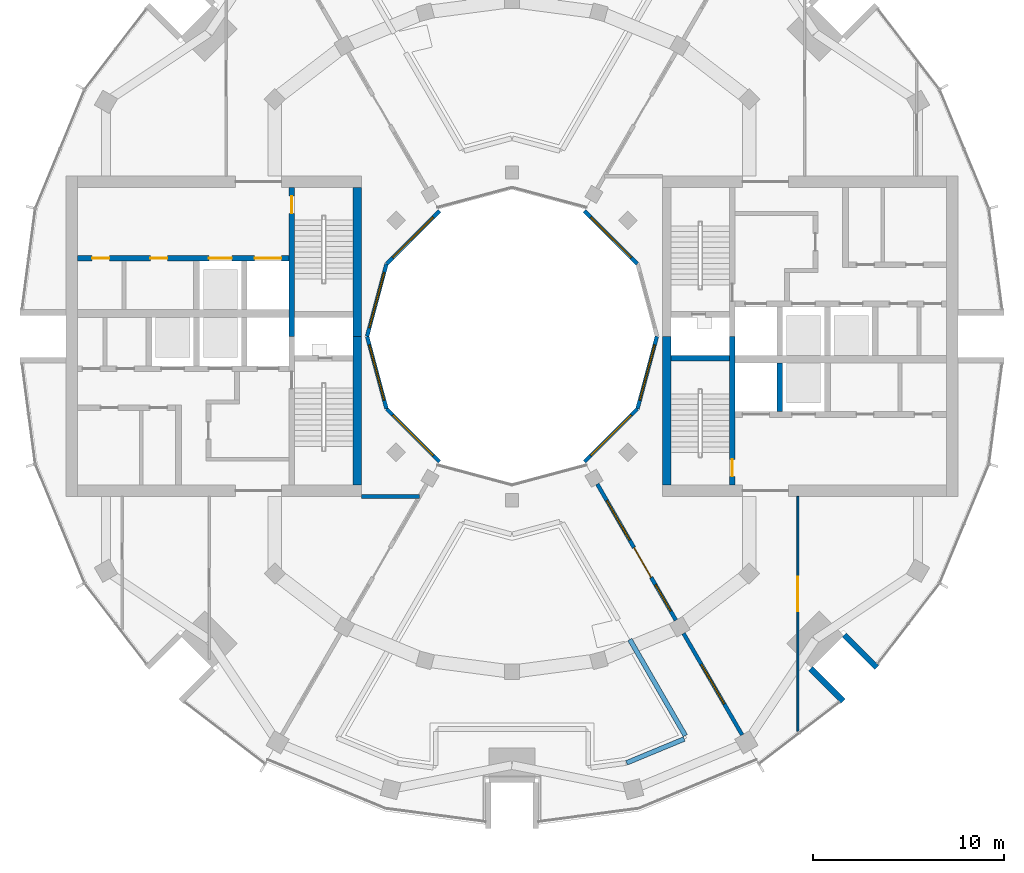
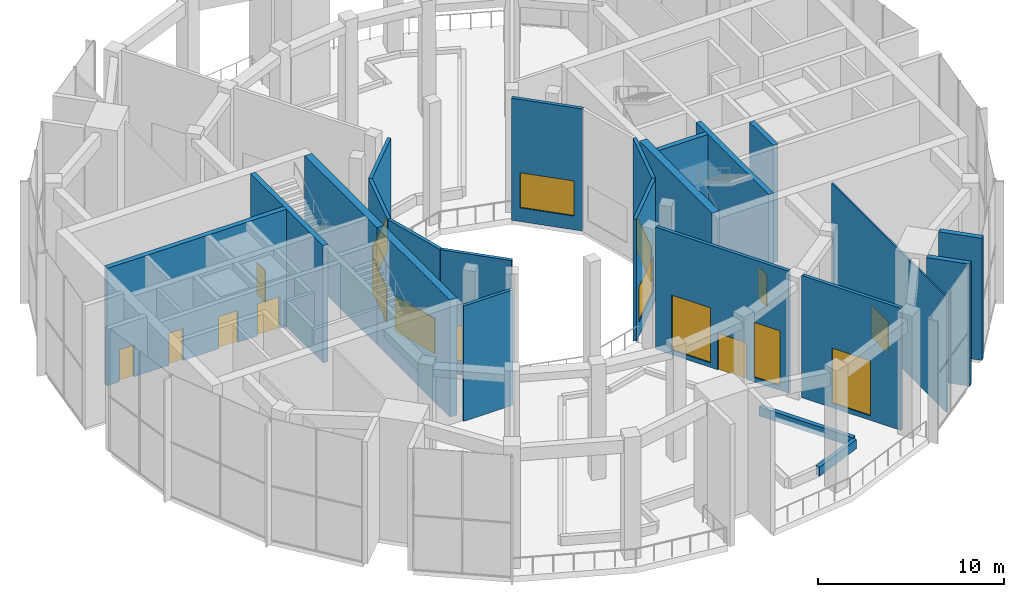
# One storey, part 12 of 18: 23 walls, 10 windows, 8 doors, 18 openings.
"""IFC4 building model written with IfcOpenShell, lengths in metres."""

from ifc_helpers import new_model, si_unit, direction, frame, frame_2d, origin, place, context, subcontext, project, spatial, rectangle, extrude, material, layer, layer_set, type_object, element, fill, save


model = new_model("IFC4")

# Units and contexts
model_context = context("Model", 3, precision=1e-05, world=origin(), true_north=direction((0.0, 1.0)))
body_context = subcontext(model_context, "Body", "Model", "MODEL_VIEW")
ifc_project = project(units=[si_unit("LENGTHUNIT", "METRE"), si_unit("AREAUNIT", "SQUARE_METRE"), si_unit("VOLUMEUNIT", "CUBIC_METRE"), si_unit("PLANEANGLEUNIT", "RADIAN"), si_unit("MASSUNIT", "GRAM", prefix="KILO")], contexts=[model_context])

# Site, building, storey
site_placement = place(None, origin())
site = spatial("IfcSite", under=ifc_project, at=site_placement, CompositionType="ELEMENT")
building_placement = place(site_placement, origin())
building = spatial("IfcBuilding", under=site, at=building_placement, Name="Torre Brocal", CompositionType="ELEMENT")
storey_placement = place(building_placement, frame((0.0, 0.0, 229.300048828125)))
storey = spatial("IfcBuildingStorey", under=building, at=storey_placement, Name="L53", CompositionType="ELEMENT", Elevation=229.300048828125)

# Wall, opening, door
ifc_material_1 = material(Name="Concrete C60", Category="concrete")
ifc_layer_1 = layer(ifc_material_1, 0.300048828125)
ifc_layer_set_1 = layer_set([ifc_layer_1], Name="Concrete C60")
wall_type_1 = type_object("IfcWallType", Name="CORE WALL 300 C60", PredefinedType="SHEAR", material=ifc_layer_set_1)
wall_1_placement = place(storey_placement, frame((91.550048828125, 67.199951171875, 0.0), z_axis=(0.0, 0.0, 1.0), x_axis=(0.0, 1.0, 0.0)))
wall_1 = element("IfcWall", 1, at=wall_1_placement, inside=storey, type_object=wall_type_1, Name="Wall CW300-60", PredefinedType="SHEAR", context=body_context, shape_type="SweptSolid", body=[
    extrude(rectangle(XDim=7.800048828125, YDim=0.300048828125, at=frame_2d((3.89990234375, 0.0))), origin(), (0.0, 0.0, 1.0), 7.679931640625),
])
opening_1_placement = place(wall_1_placement, frame((0.449951171875, 0.0, 0.0)))
opening_1 = element("IfcOpeningElement", 2, at=opening_1_placement, cuts=wall_1, Name="Opening E-D03", PredefinedType="OPENING", context=body_context, shape_type="SweptSolid", body=[
    extrude(rectangle(XDim=0.89990234375, YDim=2.10009765625, at=frame_2d((0.449951171875, 1.050048828125))), frame((0.0, 0.159912109375, 0.0), z_axis=(0.0, -1.0, 0.0), x_axis=(1.0, 0.0, 0.0)), (0.0, 0.0, 1.0), 0.320068359375),
])
ifc_material_2 = material(Name="Steel A653", Category="steel")
door_type_1 = type_object("IfcDoorType", Name="STAIR DOOR FD120 900X2100", OperationType="SINGLE_SWING_RIGHT", PredefinedType="DOOR", material=ifc_material_2)
door_1_placement = place(opening_1_placement, origin())
door_1 = element("IfcDoor", 3, at=door_1_placement, inside=storey, type_object=door_type_1, Name="Door E-D03", OperationType="SINGLE_SWING_LEFT", OverallHeight=2.10009765625, OverallWidth=0.89990234375, PredefinedType="DOOR", context=body_context, shape_type="SweptSolid", body=[
    extrude(rectangle(XDim=0.89990234375, YDim=2.10009765625, at=frame_2d((0.449951171875, 1.050048828125))), frame((0.0, 0.02490234375, 0.0), z_axis=(0.0, -1.0, 0.0), x_axis=(1.0, 0.0, 0.0)), (0.0, 0.0, 1.0), 0.050048828125),
])
fill(opening_1, door_1)

# Walls
wall_2_placement = place(storey_placement, frame((88.35009765625, 73.85009765625, 0.0), z_axis=(0.0, 0.0, 1.0), x_axis=(1.0, 0.0, 0.0)))
element("IfcWall", 4, at=wall_2_placement, inside=storey, type_object=wall_type_1, Name="Wall CW300-60", PredefinedType="SHEAR", context=body_context, shape_type="SweptSolid", body=[
    extrude(rectangle(XDim=3.0498046875, YDim=0.300048828125, at=frame_2d((1.52490234375, 0.0))), origin(), (0.0, 0.0, 1.0), 7.679931640625),
])
wall_3_placement = place(storey_placement, frame((94.050048828125, 71.050048828125, 0.0), z_axis=(0.0, 0.0, 1.0), x_axis=(0.0, 1.0, 0.0)))
element("IfcWall", 5, at=wall_3_placement, inside=storey, type_object=wall_type_1, Name="Wall CW300-60", PredefinedType="SHEAR", context=body_context, shape_type="SweptSolid", body=[
    extrude(rectangle(XDim=2.550048828125, YDim=0.300048828125, at=frame_2d((1.27490234375, 0.0))), origin(), (0.0, 0.0, 1.0), 7.679931640625),
])

# Wall, opening, door
wall_4_placement = place(storey_placement, frame((68.449951171875, 82.800048828125, 0.0), z_axis=(0.0, 0.0, 1.0), x_axis=(0.0, -1.0, 0.0)))
wall_4 = element("IfcWall", 6, at=wall_4_placement, inside=storey, type_object=wall_type_1, Name="Wall CW300-60", PredefinedType="SHEAR", context=body_context, shape_type="SweptSolid", body=[
    extrude(rectangle(XDim=7.800048828125, YDim=0.300048828125, at=frame_2d((3.89990234375, 0.0))), origin(), (0.0, 0.0, 1.0), 7.679931640625),
])
opening_2_placement = place(wall_4_placement, frame((0.449951171875, 0.0, 0.0)))
opening_2 = element("IfcOpeningElement", 7, at=opening_2_placement, cuts=wall_4, Name="Opening W-D03", PredefinedType="OPENING", context=body_context, shape_type="SweptSolid", body=[
    extrude(rectangle(XDim=0.89990234375, YDim=2.10009765625, at=frame_2d((0.449951171875, 1.050048828125))), frame((0.0, 0.159912109375, 0.0), z_axis=(0.0, -1.0, 0.0), x_axis=(1.0, 0.0, 0.0)), (0.0, 0.0, 1.0), 0.320068359375),
])
door_2_placement = place(opening_2_placement, origin())
door_2 = element("IfcDoor", 8, at=door_2_placement, inside=storey, type_object=door_type_1, Name="Door W-D03", OperationType="SINGLE_SWING_LEFT", OverallHeight=2.10009765625, OverallWidth=0.89990234375, PredefinedType="DOOR", context=body_context, shape_type="SweptSolid", body=[
    extrude(rectangle(XDim=0.89990234375, YDim=2.10009765625, at=frame_2d((0.449951171875, 1.050048828125))), frame((0.0, 0.02490234375, 0.0), z_axis=(0.0, -1.0, 0.0), x_axis=(1.0, 0.0, 0.0)), (0.0, 0.0, 1.0), 0.050048828125),
])
fill(opening_2, door_2)

# Wall, openings, doors
wall_5_placement = place(storey_placement, frame((68.300048828125, 79.10009765625, 0.0), z_axis=(0.0, 0.0, 1.0), x_axis=(-1.0, 0.0, 0.0)))
wall_5 = element("IfcWall", 9, at=wall_5_placement, inside=storey, type_object=wall_type_1, Name="Wall CW300-60", PredefinedType="SHEAR", context=body_context, shape_type="SweptSolid", body=[
    extrude(rectangle(XDim=11.10009765625, YDim=0.300048828125, at=frame_2d((5.550048828125, 0.0))), origin(), (0.0, 0.0, 1.0), 7.679931640625),
])
opening_3_placement = place(wall_5_placement, frame((0.39990234375, 0.0, 0.0)))
opening_3 = element("IfcOpeningElement", 10, at=opening_3_placement, cuts=wall_5, Name="Opening LD14", PredefinedType="OPENING", context=body_context, shape_type="SweptSolid", body=[
    extrude(rectangle(XDim=1.39990234375, YDim=2.10009765625, at=frame_2d((0.699951171875, 1.050048828125))), frame((0.0, 0.159912109375, 0.0), z_axis=(0.0, -1.0, 0.0), x_axis=(1.0, 0.0, 0.0)), (0.0, 0.0, 1.0), 0.320068359375),
])
opening_4_placement = place(wall_5_placement, frame((3.0, 0.0, 0.0)))
opening_4 = element("IfcOpeningElement", 11, at=opening_4_placement, cuts=wall_5, Name="Opening LD12", PredefinedType="OPENING", context=body_context, shape_type="SweptSolid", body=[
    extrude(rectangle(XDim=1.199951171875, YDim=2.10009765625, at=frame_2d((0.60009765625, 1.050048828125))), frame((0.0, 0.159912109375, 0.0), z_axis=(0.0, -1.0, 0.0), x_axis=(1.0, 0.0, 0.0)), (0.0, 0.0, 1.0), 0.320068359375),
])
opening_5_placement = place(wall_5_placement, frame((6.3798828125, 0.0, 0.0)))
opening_5 = element("IfcOpeningElement", 12, at=opening_5_placement, cuts=wall_5, Name="Opening W-D06", PredefinedType="OPENING", context=body_context, shape_type="SweptSolid", body=[
    extrude(rectangle(XDim=0.89990234375, YDim=2.10009765625, at=frame_2d((0.449951171875, 1.050048828125))), frame((0.0, 0.159912109375, 0.0), z_axis=(0.0, -1.0, 0.0), x_axis=(1.0, 0.0, 0.0)), (0.0, 0.0, 1.0), 0.320068359375),
])
opening_6_placement = place(wall_5_placement, frame((9.429931640625, 0.0, 0.0)))
opening_6 = element("IfcOpeningElement", 13, at=opening_6_placement, cuts=wall_5, Name="Opening W-D07", PredefinedType="OPENING", context=body_context, shape_type="SweptSolid", body=[
    extrude(rectangle(XDim=0.89990234375, YDim=2.10009765625, at=frame_2d((0.449951171875, 1.050048828125))), frame((0.0, 0.159912109375, 0.0), z_axis=(0.0, -1.0, 0.0), x_axis=(1.0, 0.0, 0.0)), (0.0, 0.0, 1.0), 0.320068359375),
])
ifc_material_3 = material(Name="Stainless steel AISI 316", Category="steel")
door_type_2 = type_object("IfcDoorType", Name="LIFT LANDING DOOR 1200X2100", OperationType="DOUBLE_DOOR_SLIDING", PredefinedType="DOOR", material=ifc_material_3)
door_3_placement = place(opening_4_placement, origin())
door_3 = element("IfcDoor", 14, at=door_3_placement, inside=storey, type_object=door_type_2, Name="Door LD12", OperationType="DOUBLE_DOOR_SLIDING", OverallHeight=2.10009765625, OverallWidth=1.199951171875, PredefinedType="DOOR", context=body_context, shape_type="SweptSolid", body=[
    extrude(rectangle(XDim=1.199951171875, YDim=2.10009765625, at=frame_2d((0.60009765625, 1.050048828125))), frame((0.0, 0.02490234375, 0.0), z_axis=(0.0, -1.0, 0.0), x_axis=(1.0, 0.0, 0.0)), (0.0, 0.0, 1.0), 0.050048828125),
])
fill(opening_4, door_3)
ifc_material_4 = material(Name="Stainless steel AISI 316", Category="steel")
door_type_3 = type_object("IfcDoorType", Name="LIFT LANDING DOOR 1400X2100", OperationType="DOUBLE_DOOR_SLIDING", PredefinedType="DOOR", material=ifc_material_4)
door_4_placement = place(opening_3_placement, origin())
door_4 = element("IfcDoor", 15, at=door_4_placement, inside=storey, type_object=door_type_3, Name="Door LD14", OperationType="DOUBLE_DOOR_SLIDING", OverallHeight=2.10009765625, OverallWidth=1.39990234375, PredefinedType="DOOR", context=body_context, shape_type="SweptSolid", body=[
    extrude(rectangle(XDim=1.39990234375, YDim=2.10009765625, at=frame_2d((0.699951171875, 1.050048828125))), frame((0.0, 0.02490234375, 0.0), z_axis=(0.0, -1.0, 0.0), x_axis=(1.0, 0.0, 0.0)), (0.0, 0.0, 1.0), 0.050048828125),
])
fill(opening_3, door_4)
ifc_material_5 = material(Name="Steel A653", Category="steel")
door_type_4 = type_object("IfcDoorType", Name="ROOM DOOR FD30S 900X2100", OperationType="SINGLE_SWING_LEFT", PredefinedType="DOOR", material=ifc_material_5)
door_5_placement = place(opening_5_placement, origin())
door_5 = element("IfcDoor", 16, at=door_5_placement, inside=storey, type_object=door_type_4, Name="Door W-D06", OperationType="SINGLE_SWING_RIGHT", OverallHeight=2.10009765625, OverallWidth=0.89990234375, PredefinedType="DOOR", context=body_context, shape_type="SweptSolid", body=[
    extrude(rectangle(XDim=0.89990234375, YDim=2.10009765625, at=frame_2d((0.449951171875, 1.050048828125))), frame((0.0, 0.02490234375, 0.0), z_axis=(0.0, -1.0, 0.0), x_axis=(1.0, 0.0, 0.0)), (0.0, 0.0, 1.0), 0.050048828125),
])
fill(opening_5, door_5)
door_6_placement = place(opening_6_placement, origin())
door_6 = element("IfcDoor", 17, at=door_6_placement, inside=storey, type_object=door_type_4, Name="Door W-D07", OperationType="SINGLE_SWING_LEFT", OverallHeight=2.10009765625, OverallWidth=0.89990234375, PredefinedType="DOOR", context=body_context, shape_type="SweptSolid", body=[
    extrude(rectangle(XDim=0.89990234375, YDim=2.10009765625, at=frame_2d((0.449951171875, 1.050048828125))), frame((0.0, 0.02490234375, 0.0), z_axis=(0.0, -1.0, 0.0), x_axis=(1.0, 0.0, 0.0)), (0.0, 0.0, 1.0), 0.050048828125),
])
fill(opening_6, door_6)

# Walls
ifc_material_6 = material(Name="Concrete C60", Category="concrete")
ifc_layer_2 = layer(ifc_material_6, 0.449951171875)
ifc_layer_set_2 = layer_set([ifc_layer_2], Name="Concrete C60")
wall_type_2 = type_object("IfcWallType", Name="CORE WALL 450 C60", PredefinedType="SHEAR", material=ifc_layer_set_2)
for number, where, z_axis, x_axis, name in (
    (18, (88.125, 67.199951171875, 0.0), (0.0, 0.0, 1.0), (0.0, 1.0, 0.0), "Wall CW450-60"),
    (19, (71.875, 75.0, 0.0), (0.0, 0.0, 1.0), (0.0, -1.0, 0.0), "Wall CW450-60"),
    (20, (71.875, 82.800048828125, 0.0), (0.0, 0.0, 1.0), (0.0, -1.0, 0.0), "Wall CW450-60"),
):
    element("IfcWall", number, at=place(storey_placement, frame(where, z_axis=z_axis, x_axis=x_axis)), inside=storey, type_object=wall_type_2, Name=name, PredefinedType="SHEAR", context=body_context, shape_type="SweptSolid", body=[
        extrude(rectangle(XDim=7.800048828125, YDim=0.449951171875, at=frame_2d((3.89990234375, 0.0))), origin(), (0.0, 0.0, 1.0), 7.679931640625),
    ])
ifc_material_7 = material(Name="Concrete C60", Category="concrete")
ifc_layer_3 = layer(ifc_material_7, 0.300048828125)
ifc_layer_set_3 = layer_set([ifc_layer_3], Name="Concrete C60")
wall_type_3 = type_object("IfcWallType", Name="NOTCH RETURN WALL 300 C60", PredefinedType="NOTDEFINED", material=ifc_layer_set_3)
for number, where, z_axis, x_axis, name in (
    (21, (95.662353515625, 57.56982421875, 0.0), (0.0, 0.0, 1.0), (0.707106781187, -0.707106781187, 0.0), "NOTCH RETURN WALL"),
    (22, (97.43017578125, 59.337646484375, 0.0), (0.0, 0.0, 1.0), (0.707106781187, -0.707106781187, 0.0), "NOTCH RETURN WALL"),
):
    element("IfcWall", number, at=place(storey_placement, frame(where, z_axis=z_axis, x_axis=x_axis)), inside=storey, type_object=wall_type_3, Name=name, PredefinedType="NOTDEFINED", context=body_context, shape_type="SweptSolid", body=[
        extrude(rectangle(XDim=2.415771484375, YDim=0.300048828125, at=frame_2d((1.2080078125, 0.0))), origin(), (0.0, 0.0, 1.0), 8.0),
    ])

# Wall, opening, door
ifc_material_8 = material(Name="Gypsum board", Category="Gypsum")
ifc_layer_4 = layer(ifc_material_8, 0.10009765625)
ifc_layer_set_4 = layer_set([ifc_layer_4], Name="Gypsum board")
wall_type_4 = type_object("IfcWallType", Name="PARTITION 100", PredefinedType="PARTITIONING", material=ifc_layer_set_4)
wall_6_placement = place(storey_placement, frame((95.0, 54.27001953125, 0.0), z_axis=(0.0, 0.0, 1.0), x_axis=(0.0, 1.0, 0.0)))
wall_6 = element("IfcWall", 23, at=wall_6_placement, inside=storey, type_object=wall_type_4, Name="ROOM PARTITION", PredefinedType="PARTITIONING", context=body_context, shape_type="SweptSolid", body=[
    extrude(rectangle(XDim=12.330078125, YDim=0.10009765625, at=frame_2d((6.1650390625, 0.0))), origin(), (0.0, 0.0, 1.0), 7.550048828125),
])
opening_7_placement = place(wall_6_placement, frame((6.30859375, 0.0, 0.0)))
opening_7 = element("IfcOpeningElement", 24, at=opening_7_placement, cuts=wall_6, Name="Opening SG3-D03", PredefinedType="OPENING", context=body_context, shape_type="SweptSolid", body=[
    extrude(rectangle(XDim=1.800048828125, YDim=2.10009765625, at=frame_2d((0.89990234375, 1.050048828125))), frame((0.0, 0.06005859375, 0.0), z_axis=(0.0, -1.0, 0.0), x_axis=(1.0, 0.0, 0.0)), (0.0, 0.0, 1.0), 0.1201171875),
])
ifc_material_9 = material(Name="Timber", Category="wood")
door_type_5 = type_object("IfcDoorType", Name="DOUBLE DOOR 1800X2100", OperationType="DOUBLE_DOOR_SINGLE_SWING", PredefinedType="DOOR", material=ifc_material_9)
door_7_placement = place(opening_7_placement, frame((1.800048828125, 0.0, 0.0), z_axis=(0.0, 0.0, 1.0), x_axis=(-1.0, 0.0, 0.0)))
door_7 = element("IfcDoor", 25, at=door_7_placement, inside=storey, type_object=door_type_5, Name="SG3-D03", OperationType="DOUBLE_DOOR_SINGLE_SWING", OverallHeight=2.10009765625, OverallWidth=1.800048828125, PredefinedType="DOOR", context=body_context, shape_type="SweptSolid", body=[
    extrude(rectangle(XDim=1.800048828125, YDim=2.10009765625, at=frame_2d((0.89990234375, 1.050048828125))), frame((0.0, 0.02490234375, 0.0), z_axis=(0.0, -1.0, 0.0), x_axis=(1.0, 0.0, 0.0)), (0.0, 0.0, 1.0), 0.050048828125),
])
fill(opening_7, door_7)

# Wall
ifc_material_10 = material(Name="Gypsum board", Category="Gypsum")
ifc_layer_5 = layer(ifc_material_10, 0.199951171875)
ifc_layer_set_5 = layer_set([ifc_layer_5], Name="Gypsum board")
wall_type_5 = type_object("IfcWallType", Name="PARTITION 200 EI60", PredefinedType="PARTITIONING", material=ifc_layer_set_5)
wall_7_placement = place(storey_placement, frame((72.10107421875, 66.60009765625, 0.0), z_axis=(0.0, 0.0, 1.0), x_axis=(1.0, 0.0, 0.0)))
element("IfcWall", 26, at=wall_7_placement, inside=storey, type_object=wall_type_5, Name="PARTY PARTITION", PredefinedType="PARTITIONING", context=body_context, shape_type="SweptSolid", body=[
    extrude(rectangle(XDim=3.0478515625, YDim=0.199951171875, at=frame_2d((1.52392578125, 0.0))), origin(), (0.0, 0.0, 1.0), 7.550048828125),
])

# Wall, openings, door, windows
ifc_material_11 = material(Name="Concrete C40", Category="concrete")
ifc_layer_6 = layer(ifc_material_11, 0.199951171875)
ifc_layer_set_6 = layer_set([ifc_layer_6], Name="Concrete C40")
wall_type_6 = type_object("IfcWallType", Name="PAVILION BOUNDARY WALL 200", PredefinedType="NOTDEFINED", material=ifc_layer_set_6)
wall_8_placement = place(storey_placement, frame((84.47509765625, 67.2490234375, 0.0), z_axis=(0.0, 0.0, 1.0), x_axis=(0.499996545922, -0.866027397988, 0.0)))
wall_8 = element("IfcWall", 27, at=wall_8_placement, inside=storey, type_object=wall_type_6, Name="PAVILION BOUNDARY WALL", PredefinedType="NOTDEFINED", context=body_context, shape_type="SweptSolid", body=[
    extrude(rectangle(XDim=8.25, YDim=0.199951171875, at=frame_2d((4.125, 0.0))), origin(), (0.0, 0.0, 1.0), 8.0),
])
opening_8_placement = place(wall_8_placement, frame((1.0, 0.0, 0.300048828125)))
opening_8 = element("IfcOpeningElement", 28, at=opening_8_placement, cuts=wall_8, Name="Opening W4", PredefinedType="OPENING", context=body_context, shape_type="SweptSolid", body=[
    extrude(rectangle(XDim=2.39990234375, YDim=3.60009765625, at=frame_2d((1.199951171875, 1.800048828125))), frame((0.0, 0.10986328125, 0.0), z_axis=(0.0, -1.0, 0.0), x_axis=(1.0, 0.0, 0.0)), (0.0, 0.0, 1.0), 0.219970703125),
])
opening_9_placement = place(wall_8_placement, frame((3.85009765625, 0.0, 0.0)))
opening_9 = element("IfcOpeningElement", 29, at=opening_9_placement, cuts=wall_8, Name="Opening L53-E04", PredefinedType="OPENING", context=body_context, shape_type="SweptSolid", body=[
    extrude(rectangle(XDim=1.800048828125, YDim=2.39990234375, at=frame_2d((0.89990234375, 1.199951171875))), frame((0.0, 0.10986328125, 0.0), z_axis=(0.0, -1.0, 0.0), x_axis=(1.0, 0.0, 0.0)), (0.0, 0.0, 1.0), 0.219970703125),
])
opening_10_placement = place(wall_8_placement, frame((6.10009765625, 0.0, 0.300048828125)))
opening_10 = element("IfcOpeningElement", 30, at=opening_10_placement, cuts=wall_8, Name="Opening W4-1600", PredefinedType="OPENING", context=body_context, shape_type="SweptSolid", body=[
    extrude(rectangle(XDim=1.60009765625, YDim=3.60009765625, at=frame_2d((0.800048828125, 1.800048828125))), frame((0.0, 0.10986328125, 0.0), z_axis=(0.0, -1.0, 0.0), x_axis=(1.0, 0.0, 0.0)), (0.0, 0.0, 1.0), 0.219970703125),
])
ifc_material_12 = material(Name="Aluminium and glass", Category="aluminium")
door_type_6 = type_object("IfcDoorType", Name="PAVILION DOOR 1800X2400", OperationType="DOUBLE_DOOR_SINGLE_SWING", PredefinedType="DOOR", material=ifc_material_12)
door_8_placement = place(opening_9_placement, frame((1.800048828125, 0.0, 0.0), z_axis=(0.0, 0.0, 1.0), x_axis=(-1.0, 0.0, 0.0)))
door_8 = element("IfcDoor", 31, at=door_8_placement, inside=storey, type_object=door_type_6, Name="DOOR L53-E04", OperationType="DOUBLE_DOOR_SINGLE_SWING", OverallHeight=2.39990234375, OverallWidth=1.800048828125, PredefinedType="DOOR", context=body_context, shape_type="SweptSolid", body=[
    extrude(rectangle(XDim=1.800048828125, YDim=2.39990234375, at=frame_2d((0.89990234375, 1.199951171875))), frame((0.0, 0.02490234375, 0.0), z_axis=(0.0, -1.0, 0.0), x_axis=(1.0, 0.0, 0.0)), (0.0, 0.0, 1.0), 0.050048828125),
])
fill(opening_9, door_8)
ifc_material_13 = material(Name="Aluminium and glass", Category="aluminium")
window_type_1 = type_object("IfcWindowType", Name="PAVILION WINDOW 1600X3600", PartitioningType="SINGLE_PANEL", PredefinedType="WINDOW", material=ifc_material_13)
window_1_placement = place(opening_10_placement, origin())
window_1 = element("IfcWindow", 32, at=window_1_placement, inside=storey, type_object=window_type_1, Name="PAVILION WINDOW 1600X3600", OverallHeight=3.60009765625, OverallWidth=1.60009765625, PartitioningType="SINGLE_PANEL", PredefinedType="WINDOW", context=body_context, shape_type="SweptSolid", body=[
    extrude(rectangle(XDim=1.60009765625, YDim=3.60009765625, at=frame_2d((0.800048828125, 1.800048828125))), frame((0.0, 0.030029296875, 0.0), z_axis=(0.0, -1.0, 0.0), x_axis=(1.0, 0.0, 0.0)), (0.0, 0.0, 1.0), 0.06005859375),
])
fill(opening_10, window_1)
ifc_material_14 = material(Name="Aluminium and glass", Category="aluminium")
window_type_2 = type_object("IfcWindowType", Name="PAVILION WINDOW 2400X3600", PartitioningType="SINGLE_PANEL", PredefinedType="WINDOW", material=ifc_material_14)
window_2_placement = place(opening_8_placement, origin())
window_2 = element("IfcWindow", 33, at=window_2_placement, inside=storey, type_object=window_type_2, Name="PAVILION WINDOW 2400X3600", OverallHeight=3.60009765625, OverallWidth=2.39990234375, PartitioningType="SINGLE_PANEL", PredefinedType="WINDOW", context=body_context, shape_type="SweptSolid", body=[
    extrude(rectangle(XDim=2.39990234375, YDim=3.60009765625, at=frame_2d((1.199951171875, 1.800048828125))), frame((0.0, 0.030029296875, 0.0), z_axis=(0.0, -1.0, 0.0), x_axis=(1.0, 0.0, 0.0)), (0.0, 0.0, 1.0), 0.06005859375),
])
fill(opening_8, window_2)

# Wall, opening, window
wall_9_placement = place(storey_placement, frame((89.0, 59.41162109375, 0.0), z_axis=(0.0, 0.0, 1.0), x_axis=(0.499985903289, -0.866033542371, 0.0)))
wall_9 = element("IfcWall", 34, at=wall_9_placement, inside=storey, type_object=wall_type_6, Name="PAVILION BOUNDARY WALL", PredefinedType="NOTDEFINED", context=body_context, shape_type="SweptSolid", body=[
    extrude(rectangle(XDim=6.150146484375, YDim=0.199951171875, at=frame_2d((3.0751953125, 0.0))), origin(), (0.0, 0.0, 1.0), 8.0),
])
opening_11_placement = place(wall_9_placement, frame((1.875, 0.0, 0.300048828125)))
opening_11 = element("IfcOpeningElement", 35, at=opening_11_placement, cuts=wall_9, Name="Opening W4", PredefinedType="OPENING", context=body_context, shape_type="SweptSolid", body=[
    extrude(rectangle(XDim=2.39990234375, YDim=3.60009765625, at=frame_2d((1.199951171875, 1.800048828125))), frame((0.0, 0.10986328125, 0.0), z_axis=(0.0, -1.0, 0.0), x_axis=(1.0, 0.0, 0.0)), (0.0, 0.0, 1.0), 0.219970703125),
])
window_3_placement = place(opening_11_placement, origin())
window_3 = element("IfcWindow", 36, at=window_3_placement, inside=storey, type_object=window_type_2, Name="PAVILION WINDOW 2400X3600", OverallHeight=3.60009765625, OverallWidth=2.39990234375, PartitioningType="SINGLE_PANEL", PredefinedType="WINDOW", context=body_context, shape_type="SweptSolid", body=[
    extrude(rectangle(XDim=2.39990234375, YDim=3.60009765625, at=frame_2d((1.199951171875, 1.800048828125))), frame((0.0, 0.030029296875, 0.0), z_axis=(0.0, -1.0, 0.0), x_axis=(1.0, 0.0, 0.0)), (0.0, 0.0, 1.0), 0.06005859375),
])
fill(opening_11, window_3)

# Walls
ifc_material_15 = material(Name="Concrete C35", Category="concrete")
ifc_layer_7 = layer(ifc_material_15, 0.25)
ifc_layer_set_7 = layer_set([ifc_layer_7], Name="Concrete C35")
wall_type_7 = type_object("IfcWallType", Name="PLANTER WALL 250 THICK 600 HIGH 8", PredefinedType="USERDEFINED", material=ifc_layer_set_7)
wall_10_placement = place(storey_placement, frame((86.013671875, 52.6201171875, 0.0), z_axis=(0.0, 0.0, 1.0), x_axis=(0.923863886655, 0.382721202621, 0.0)))
element("IfcWall", 37, at=wall_10_placement, inside=storey, type_object=wall_type_7, Name="PLANTER", ObjectType="PLANTER", PredefinedType="USERDEFINED", context=body_context, shape_type="SweptSolid", body=[
    extrude(rectangle(XDim=3.2685546875, YDim=0.25, at=frame_2d((1.63427734375, 0.0))), origin(), (0.0, 0.0, 1.0), 0.599853515625),
])
wall_11_placement = place(storey_placement, frame((89.09375, 54.049072265625, 0.0), z_axis=(0.0, 0.0, 1.0), x_axis=(-0.50000795037, 0.866020813587, 0.0)))
element("IfcWall", 38, at=wall_11_placement, inside=storey, type_object=wall_type_7, Name="PLANTER", ObjectType="PLANTER", PredefinedType="USERDEFINED", context=body_context, shape_type="SweptSolid", body=[
    extrude(rectangle(XDim=5.8232421875, YDim=0.25, at=frame_2d((2.91162109375, 0.0))), origin(), (0.0, 0.0, 1.0), 0.599853515625),
])

# Wall, opening, window
ifc_material_16 = material(Name="Concrete C40", Category="concrete")
ifc_layer_8 = layer(ifc_material_16, 0.199951171875)
ifc_layer_set_8 = layer_set([ifc_layer_8], Name="Concrete C40")
wall_type_8 = type_object("IfcWallType", Name="WELL FACADE WALL 200", PredefinedType="NOTDEFINED", material=ifc_layer_set_8)
wall_12_placement = place(storey_placement, frame((86.5849609375, 78.8017578125, 0.0), z_axis=(0.0, 0.0, 1.0), x_axis=(-0.707106781187, 0.707106781187, 0.0)))
wall_12 = element("IfcWall", 39, at=wall_12_placement, inside=storey, type_object=wall_type_8, Name="WELL FACADE WALL", PredefinedType="NOTDEFINED", context=body_context, shape_type="SweptSolid", body=[
    extrude(rectangle(XDim=3.93603515625, YDim=0.199951171875, at=frame_2d((1.968017578125, 0.0))), origin(), (0.0, 0.0, 1.0), 8.0),
])
opening_12_placement = place(wall_12_placement, frame((0.468017578125, 0.0, 0.89990234375)))
opening_12 = element("IfcOpeningElement", 40, at=opening_12_placement, cuts=wall_12, Name="Opening W1", PredefinedType="OPENING", context=body_context, shape_type="SweptSolid", body=[
    extrude(rectangle(XDim=3.0, YDim=2.300048828125, at=frame_2d((1.5, 1.14990234375))), frame((0.0, 0.10986328125, 0.0), z_axis=(0.0, -1.0, 0.0), x_axis=(1.0, 0.0, 0.0)), (0.0, 0.0, 1.0), 0.219970703125),
])
ifc_material_17 = material(Name="Aluminium and glass", Category="aluminium")
window_type_3 = type_object("IfcWindowType", Name="WELL WINDOW 3000X2300", PartitioningType="SINGLE_PANEL", PredefinedType="WINDOW", material=ifc_material_17)
window_4_placement = place(opening_12_placement, origin())
window_4 = element("IfcWindow", 41, at=window_4_placement, inside=storey, type_object=window_type_3, Name="WELL WINDOW 3000X2300", OverallHeight=2.300048828125, OverallWidth=3.0, PartitioningType="SINGLE_PANEL", PredefinedType="WINDOW", context=body_context, shape_type="SweptSolid", body=[
    extrude(rectangle(XDim=3.0, YDim=2.300048828125, at=frame_2d((1.5, 1.14990234375))), frame((0.0, 0.030029296875, 0.0), z_axis=(0.0, -1.0, 0.0), x_axis=(1.0, 0.0, 0.0)), (0.0, 0.0, 1.0), 0.06005859375),
])
fill(opening_12, window_4)

wall_13_placement = place(storey_placement, frame((76.1982421875, 81.5849609375, 0.0), z_axis=(0.0, 0.0, 1.0), x_axis=(-0.707106781187, -0.707106781187, 0.0)))
wall_13 = element("IfcWall", 42, at=wall_13_placement, inside=storey, type_object=wall_type_8, Name="WELL FACADE WALL", PredefinedType="NOTDEFINED", context=body_context, shape_type="SweptSolid", body=[
    extrude(rectangle(XDim=3.93603515625, YDim=0.199951171875, at=frame_2d((1.968017578125, 0.0))), origin(), (0.0, 0.0, 1.0), 8.0),
])
opening_13_placement = place(wall_13_placement, frame((0.468017578125, 0.0, 0.89990234375)))
opening_13 = element("IfcOpeningElement", 43, at=opening_13_placement, cuts=wall_13, Name="Opening W1", PredefinedType="OPENING", context=body_context, shape_type="SweptSolid", body=[
    extrude(rectangle(XDim=3.0, YDim=2.300048828125, at=frame_2d((1.5, 1.14990234375))), frame((0.0, 0.10986328125, 0.0), z_axis=(0.0, -1.0, 0.0), x_axis=(1.0, 0.0, 0.0)), (0.0, 0.0, 1.0), 0.219970703125),
])
window_5_placement = place(opening_13_placement, origin())
window_5 = element("IfcWindow", 44, at=window_5_placement, inside=storey, type_object=window_type_3, Name="WELL WINDOW 3000X2300", OverallHeight=2.300048828125, OverallWidth=3.0, PartitioningType="SINGLE_PANEL", PredefinedType="WINDOW", context=body_context, shape_type="SweptSolid", body=[
    extrude(rectangle(XDim=3.0, YDim=2.300048828125, at=frame_2d((1.5, 1.14990234375))), frame((0.0, 0.030029296875, 0.0), z_axis=(0.0, -1.0, 0.0), x_axis=(1.0, 0.0, 0.0)), (0.0, 0.0, 1.0), 0.06005859375),
])
fill(opening_13, window_5)

wall_14_placement = place(storey_placement, frame((73.4150390625, 78.8017578125, 0.0), z_axis=(0.0, 0.0, 1.0), x_axis=(-0.258789828301, -0.965933654434, 0.0)))
wall_14 = element("IfcWall", 45, at=wall_14_placement, inside=storey, type_object=wall_type_8, Name="WELL FACADE WALL", PredefinedType="NOTDEFINED", context=body_context, shape_type="SweptSolid", body=[
    extrude(rectangle(XDim=3.935791015625, YDim=0.199951171875, at=frame_2d((1.9677734375, 0.0))), origin(), (0.0, 0.0, 1.0), 8.0),
])
opening_14_placement = place(wall_14_placement, frame((0.468017578125, 0.0, 0.89990234375)))
opening_14 = element("IfcOpeningElement", 46, at=opening_14_placement, cuts=wall_14, Name="Opening W1", PredefinedType="OPENING", context=body_context, shape_type="SweptSolid", body=[
    extrude(rectangle(XDim=3.0, YDim=2.300048828125, at=frame_2d((1.5, 1.14990234375))), frame((0.0, 0.10986328125, 0.0), z_axis=(0.0, -1.0, 0.0), x_axis=(1.0, 0.0, 0.0)), (0.0, 0.0, 1.0), 0.219970703125),
])
window_6_placement = place(opening_14_placement, origin())
window_6 = element("IfcWindow", 47, at=window_6_placement, inside=storey, type_object=window_type_3, Name="WELL WINDOW 3000X2300", OverallHeight=2.300048828125, OverallWidth=3.0, PartitioningType="SINGLE_PANEL", PredefinedType="WINDOW", context=body_context, shape_type="SweptSolid", body=[
    extrude(rectangle(XDim=3.0, YDim=2.300048828125, at=frame_2d((1.5, 1.14990234375))), frame((0.0, 0.030029296875, 0.0), z_axis=(0.0, -1.0, 0.0), x_axis=(1.0, 0.0, 0.0)), (0.0, 0.0, 1.0), 0.06005859375),
])
fill(opening_14, window_6)

wall_15_placement = place(storey_placement, frame((72.396484375, 75.0, 0.0), z_axis=(0.0, 0.0, 1.0), x_axis=(0.258789828301, -0.965933654434, 0.0)))
wall_15 = element("IfcWall", 48, at=wall_15_placement, inside=storey, type_object=wall_type_8, Name="WELL FACADE WALL", PredefinedType="NOTDEFINED", context=body_context, shape_type="SweptSolid", body=[
    extrude(rectangle(XDim=3.935791015625, YDim=0.199951171875, at=frame_2d((1.9677734375, 0.0))), origin(), (0.0, 0.0, 1.0), 8.0),
])
opening_15_placement = place(wall_15_placement, frame((0.468017578125, 0.0, 0.89990234375)))
opening_15 = element("IfcOpeningElement", 49, at=opening_15_placement, cuts=wall_15, Name="Opening W1", PredefinedType="OPENING", context=body_context, shape_type="SweptSolid", body=[
    extrude(rectangle(XDim=3.0, YDim=2.300048828125, at=frame_2d((1.5, 1.14990234375))), frame((0.0, 0.10986328125, 0.0), z_axis=(0.0, -1.0, 0.0), x_axis=(1.0, 0.0, 0.0)), (0.0, 0.0, 1.0), 0.219970703125),
])
window_7_placement = place(opening_15_placement, origin())
window_7 = element("IfcWindow", 50, at=window_7_placement, inside=storey, type_object=window_type_3, Name="WELL WINDOW 3000X2300", OverallHeight=2.300048828125, OverallWidth=3.0, PartitioningType="SINGLE_PANEL", PredefinedType="WINDOW", context=body_context, shape_type="SweptSolid", body=[
    extrude(rectangle(XDim=3.0, YDim=2.300048828125, at=frame_2d((1.5, 1.14990234375))), frame((0.0, 0.030029296875, 0.0), z_axis=(0.0, -1.0, 0.0), x_axis=(1.0, 0.0, 0.0)), (0.0, 0.0, 1.0), 0.06005859375),
])
fill(opening_15, window_7)

wall_16_placement = place(storey_placement, frame((73.4150390625, 71.1982421875, 0.0), z_axis=(0.0, 0.0, 1.0), x_axis=(0.707106781187, -0.707106781187, 0.0)))
wall_16 = element("IfcWall", 51, at=wall_16_placement, inside=storey, type_object=wall_type_8, Name="WELL FACADE WALL", PredefinedType="NOTDEFINED", context=body_context, shape_type="SweptSolid", body=[
    extrude(rectangle(XDim=3.93603515625, YDim=0.199951171875, at=frame_2d((1.968017578125, 0.0))), origin(), (0.0, 0.0, 1.0), 8.0),
])
opening_16_placement = place(wall_16_placement, frame((0.468017578125, 0.0, 0.89990234375)))
opening_16 = element("IfcOpeningElement", 52, at=opening_16_placement, cuts=wall_16, Name="Opening W1", PredefinedType="OPENING", context=body_context, shape_type="SweptSolid", body=[
    extrude(rectangle(XDim=3.0, YDim=2.300048828125, at=frame_2d((1.5, 1.14990234375))), frame((0.0, 0.10986328125, 0.0), z_axis=(0.0, -1.0, 0.0), x_axis=(1.0, 0.0, 0.0)), (0.0, 0.0, 1.0), 0.219970703125),
])
window_8_placement = place(opening_16_placement, origin())
window_8 = element("IfcWindow", 53, at=window_8_placement, inside=storey, type_object=window_type_3, Name="WELL WINDOW 3000X2300", OverallHeight=2.300048828125, OverallWidth=3.0, PartitioningType="SINGLE_PANEL", PredefinedType="WINDOW", context=body_context, shape_type="SweptSolid", body=[
    extrude(rectangle(XDim=3.0, YDim=2.300048828125, at=frame_2d((1.5, 1.14990234375))), frame((0.0, 0.030029296875, 0.0), z_axis=(0.0, -1.0, 0.0), x_axis=(1.0, 0.0, 0.0)), (0.0, 0.0, 1.0), 0.06005859375),
])
fill(opening_16, window_8)

wall_17_placement = place(storey_placement, frame((83.8017578125, 68.4150390625, 0.0), z_axis=(0.0, 0.0, 1.0), x_axis=(0.707106781187, 0.707106781187, 0.0)))
wall_17 = element("IfcWall", 54, at=wall_17_placement, inside=storey, type_object=wall_type_8, Name="WELL FACADE WALL", PredefinedType="NOTDEFINED", context=body_context, shape_type="SweptSolid", body=[
    extrude(rectangle(XDim=3.93603515625, YDim=0.199951171875, at=frame_2d((1.968017578125, 0.0))), origin(), (0.0, 0.0, 1.0), 8.0),
])
opening_17_placement = place(wall_17_placement, frame((0.468017578125, 0.0, 0.89990234375)))
opening_17 = element("IfcOpeningElement", 55, at=opening_17_placement, cuts=wall_17, Name="Opening W1", PredefinedType="OPENING", context=body_context, shape_type="SweptSolid", body=[
    extrude(rectangle(XDim=3.0, YDim=2.300048828125, at=frame_2d((1.5, 1.14990234375))), frame((0.0, 0.10986328125, 0.0), z_axis=(0.0, -1.0, 0.0), x_axis=(1.0, 0.0, 0.0)), (0.0, 0.0, 1.0), 0.219970703125),
])
window_9_placement = place(opening_17_placement, origin())
window_9 = element("IfcWindow", 56, at=window_9_placement, inside=storey, type_object=window_type_3, Name="WELL WINDOW 3000X2300", OverallHeight=2.300048828125, OverallWidth=3.0, PartitioningType="SINGLE_PANEL", PredefinedType="WINDOW", context=body_context, shape_type="SweptSolid", body=[
    extrude(rectangle(XDim=3.0, YDim=2.300048828125, at=frame_2d((1.5, 1.14990234375))), frame((0.0, 0.030029296875, 0.0), z_axis=(0.0, -1.0, 0.0), x_axis=(1.0, 0.0, 0.0)), (0.0, 0.0, 1.0), 0.06005859375),
])
fill(opening_17, window_9)

wall_18_placement = place(storey_placement, frame((86.5849609375, 71.1982421875, 0.0), z_axis=(0.0, 0.0, 1.0), x_axis=(0.258789828301, 0.965933654434, 0.0)))
wall_18 = element("IfcWall", 57, at=wall_18_placement, inside=storey, type_object=wall_type_8, Name="WELL FACADE WALL", PredefinedType="NOTDEFINED", context=body_context, shape_type="SweptSolid", body=[
    extrude(rectangle(XDim=3.935791015625, YDim=0.199951171875, at=frame_2d((1.9677734375, 0.0))), origin(), (0.0, 0.0, 1.0), 8.0),
])
opening_18_placement = place(wall_18_placement, frame((0.468017578125, 0.0, 0.89990234375)))
opening_18 = element("IfcOpeningElement", 58, at=opening_18_placement, cuts=wall_18, Name="Opening W1", PredefinedType="OPENING", context=body_context, shape_type="SweptSolid", body=[
    extrude(rectangle(XDim=3.0, YDim=2.300048828125, at=frame_2d((1.5, 1.14990234375))), frame((0.0, 0.10986328125, 0.0), z_axis=(0.0, -1.0, 0.0), x_axis=(1.0, 0.0, 0.0)), (0.0, 0.0, 1.0), 0.219970703125),
])
window_10_placement = place(opening_18_placement, origin())
window_10 = element("IfcWindow", 59, at=window_10_placement, inside=storey, type_object=window_type_3, Name="WELL WINDOW 3000X2300", OverallHeight=2.300048828125, OverallWidth=3.0, PartitioningType="SINGLE_PANEL", PredefinedType="WINDOW", context=body_context, shape_type="SweptSolid", body=[
    extrude(rectangle(XDim=3.0, YDim=2.300048828125, at=frame_2d((1.5, 1.14990234375))), frame((0.0, 0.030029296875, 0.0), z_axis=(0.0, -1.0, 0.0), x_axis=(1.0, 0.0, 0.0)), (0.0, 0.0, 1.0), 0.06005859375),
])
fill(opening_18, window_10)

save(model, "model.ifc")
